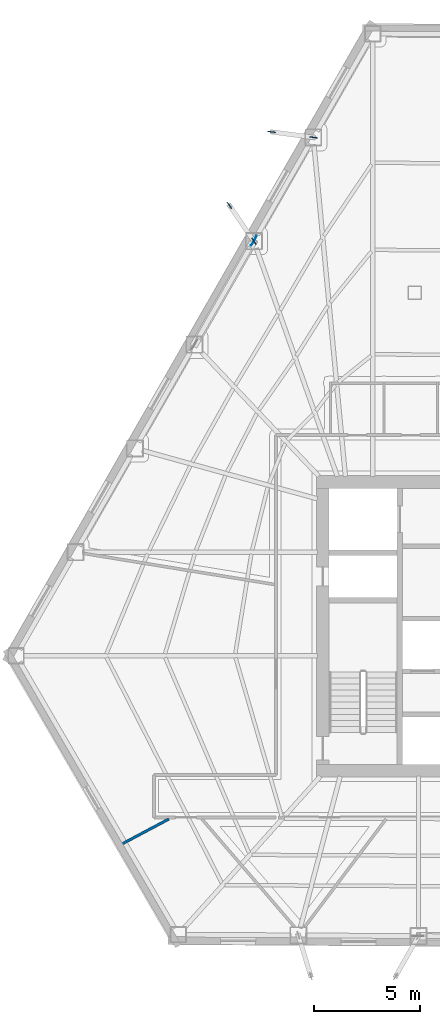
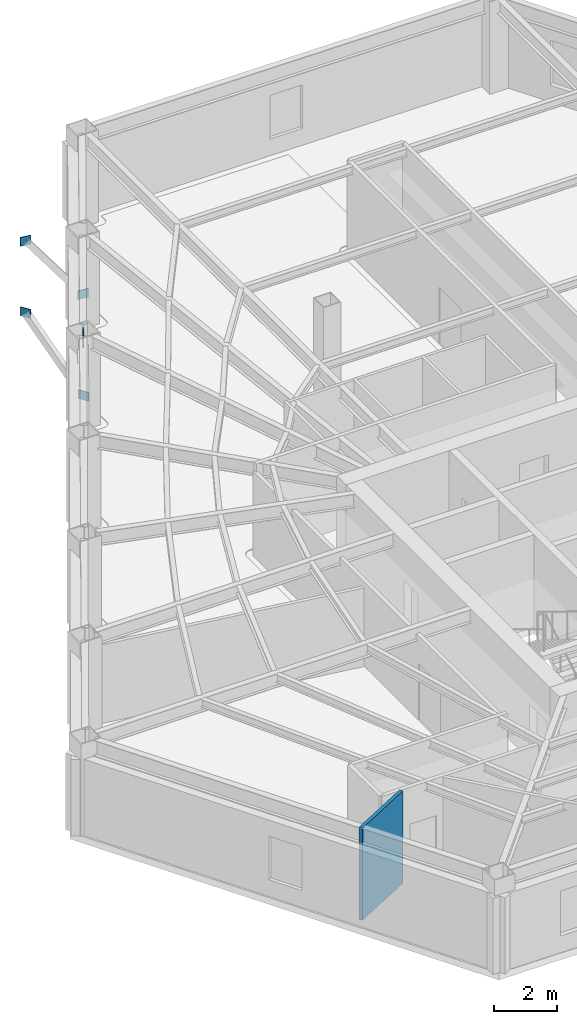
# One storey, part 6 of 12: 5 plates, 1 wall.
"""IFC4 building model written with IfcOpenShell, lengths in metres."""

from ifc_helpers import new_model, si_unit, direction, frame, frame_2d, origin, origin_2d, place, context, subcontext, project, spatial, rectangle, extrude, material, layer, layer_set, type_object, element, save


model = new_model("IFC4")

# Units and contexts
model_context = context("Model", 3, precision=1e-05, world=origin(), true_north=direction((0.0, 1.0)))
body_context = subcontext(model_context, "Body", "Model", "MODEL_VIEW")
ifc_project = project(units=[si_unit("LENGTHUNIT", "METRE"), si_unit("AREAUNIT", "SQUARE_METRE"), si_unit("VOLUMEUNIT", "CUBIC_METRE"), si_unit("PLANEANGLEUNIT", "RADIAN"), si_unit("MASSUNIT", "GRAM", prefix="KILO")], contexts=[model_context])

# Site, building, storey
site_placement = place(None, origin())
site = spatial("IfcSite", under=ifc_project, at=site_placement, CompositionType="ELEMENT")
building_placement = place(site_placement, origin())
building = spatial("IfcBuilding", under=site, at=building_placement, Name="Kavelnor Concourse Tower", CompositionType="ELEMENT")
storey_placement = place(building_placement, frame((0.0, 0.0, 44.5)))
storey = spatial("IfcBuildingStorey", under=building, at=storey_placement, Name="L11", CompositionType="ELEMENT", Elevation=44.5)

# Plates
ifc_material_1 = material(Name="Steel Grade 350", Category="steel")
ifc_layer_1 = layer(ifc_material_1, 0.028076171875, Name="Steel Grade 350")
ifc_layer_set_1 = layer_set([ifc_layer_1], Name="Steel Grade 350")
plate_type_1 = type_object("IfcPlateType", Name="PL-GUSSET-FOLD", PredefinedType="USERDEFINED", material=ifc_layer_set_1)
for number, where, z_axis, x_axis, name in (
    (1, (27.739501953125, 39.12255859375, 0.8798828125), (0.0, 0.0, 1.0), (-0.991558389436, 0.12966094377, 0.0), "L11 Balcony Strut Gusset GP4 1-A End Gusset A"),
    (2, (25.77001953125, 39.380126953125, 3.48486328125), (0.0, 0.0, 1.0), (-0.991558389436, 0.12966094377, 0.0), "L11 Balcony Strut Gusset GP4 1-A End Gusset B"),
    (3, (24.935302734375, 34.232177734375, 0.8798828125), (0.0, 0.0, 1.0), (-0.564967003425, 0.825113498278, 0.0), "L11 Balcony Strut Gusset GP4 1-B End Gusset A"),
    (4, (23.77783203125, 35.9228515625, 3.48486328125), (0.0, 0.0, 1.0), (-0.564967003425, 0.825113498278, 0.0), "L11 Balcony Strut Gusset GP4 1-B End Gusset B"),
):
    element("IfcPlate", number, at=place(storey_placement, frame(where, z_axis=z_axis, x_axis=x_axis)), inside=storey, type_object=plate_type_1, Name=name, ObjectType="GUSSET_PLATE", PredefinedType="USERDEFINED", context=body_context, shape_type="SweptSolid", body=[
        extrude(rectangle(XDim=0.360107421875, YDim=0.028076171875, at=origin_2d()), origin(), (0.0, 0.0, 1.0), 0.340087890625),
    ])
ifc_layer_2 = layer(ifc_material_1, 0.031982421875, Name="Steel Grade 350")
ifc_layer_set_2 = layer_set([ifc_layer_2], Name="Steel Grade 350")
plate_type_2 = type_object("IfcPlateType", Name="PL-GUSSET-TUBE-Z1", PredefinedType="USERDEFINED", material=ifc_layer_set_2)
plate_placement = place(storey_placement, frame((24.9345703125, 34.25244140625, 3.073974609375), z_axis=(0.0, 0.0, 1.0), x_axis=(0.497428253812, 0.867505119472, 0.0)))
element("IfcPlate", 5, at=plate_placement, inside=storey, type_object=plate_type_2, Name="L11 Tube Brace Gusset GP3 F0-B2 End Gusset B", ObjectType="GUSSET_PLATE", PredefinedType="USERDEFINED", context=body_context, shape_type="SweptSolid", body=[
    extrude(rectangle(XDim=0.52001953125, YDim=0.031982421875, at=origin_2d()), origin(), (0.0, 0.0, 1.0), 0.419921875),
])

# Wall
ifc_material_2 = material(Name="Gypsum plasterboard on light-gauge steel studs", Category="steel")
ifc_layer_3 = layer(ifc_material_2, 0.125, Name="Gypsum plasterboard on light-gauge steel studs")
ifc_layer_set_3 = layer_set([ifc_layer_3], Name="Gypsum plasterboard on light-gauge steel studs")
wall_type = type_object("IfcWallType", Name="WL-INT-SUITE-125", PredefinedType="PARTITIONING", material=ifc_layer_set_3)
wall_placement = place(storey_placement, frame((20.922119140625, 7.01953125, 0.0), z_axis=(0.0, 0.0, 1.0), x_axis=(-0.882926972808, -0.469510341407, 0.0)))
element("IfcWall", 6, at=wall_placement, inside=storey, type_object=wall_type, Name="L11 Radial Suite Partition 03", PredefinedType="PARTITIONING", context=body_context, shape_type="SweptSolid", body=[
    extrude(rectangle(XDim=2.446044921875, YDim=0.125, at=frame_2d((1.22314453125, 0.0))), origin(), (0.0, 0.0, 1.0), 3.590087890625),
])

save(model, "model.ifc")
